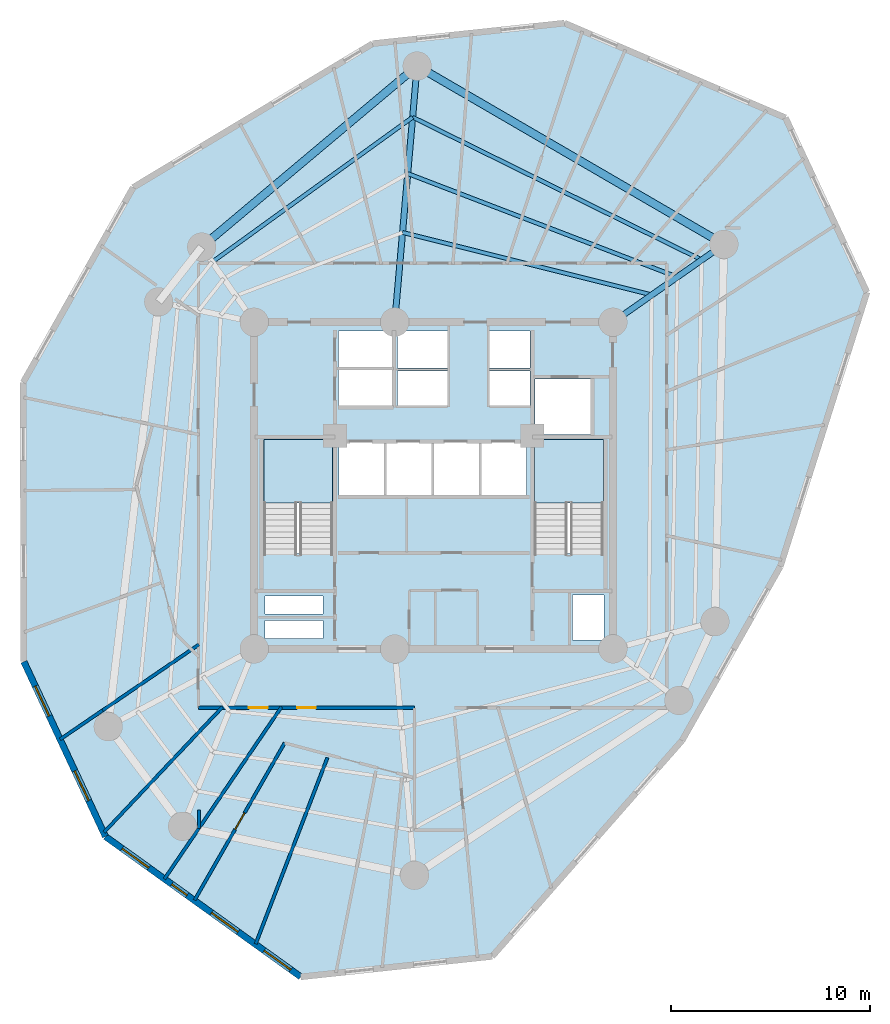
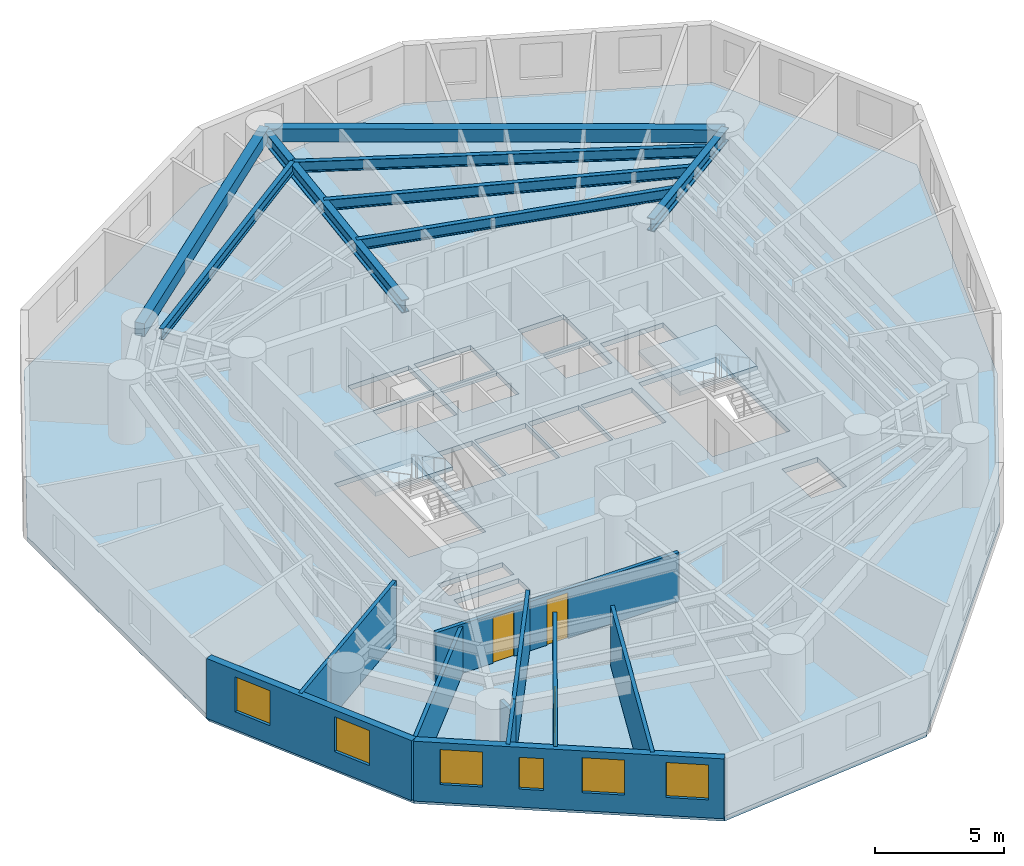
# One storey, part 2 of 8: 11 walls, 8 beams, 6 windows, 3 doors, 3 slabs, 9 openings, 2 elements without a shape of their own.
"""IFC4 building model written with IfcOpenShell, lengths in metres."""

from ifc_helpers import new_model, si_unit, direction, frame, frame_2d, origin, origin_with_axes, origin_2d, place, context, subcontext, project, spatial, polyline, rectangle, i_section, outline, extrude, source, transform, mapped, material, layer, layer_set, material_profile, profile_set, type_object, element, fill, aggregate, save


model = new_model("IFC4")

# Units and contexts
model_context = context("Model", 3, precision=1e-05, world=origin(), true_north=direction((0.0, 1.0)))
body_context = subcontext(model_context, "Body", "Model", "MODEL_VIEW")
ifc_project = project(units=[si_unit("LENGTHUNIT", "METRE"), si_unit("AREAUNIT", "SQUARE_METRE"), si_unit("VOLUMEUNIT", "CUBIC_METRE"), si_unit("PLANEANGLEUNIT", "RADIAN"), si_unit("MASSUNIT", "GRAM", prefix="KILO")], contexts=[model_context])

# Site, building, storey
site_placement = place(None, origin())
site = spatial("IfcSite", under=ifc_project, at=site_placement, CompositionType="ELEMENT")
building_placement = place(site_placement, origin())
building = spatial("IfcBuilding", under=site, at=building_placement, Name="Karkom Vertical University and Central Library", CompositionType="ELEMENT")
storey_placement = place(building_placement, frame((0.0, 0.0, 114.5)))
storey = spatial("IfcBuildingStorey", under=building, at=storey_placement, Name="L31", CompositionType="ELEMENT", Elevation=114.5)

# Beams
ifc_material_1 = material(Name="Precast concrete C45/55", Category="concrete")
ifc_material_profile_1 = material_profile(ifc_material_1, rectangle(XDim=0.39990234375, YDim=0.60009765625, at=origin_2d()), Name="SPB-400x600")
ifc_profile_set_1 = profile_set([ifc_material_profile_1], Name="Precast concrete C45/55")
beam_type_1 = type_object("IfcBeamType", Name="STR-BM-SP-1", PredefinedType="SPANDREL", material=ifc_profile_set_1)
shared_shape_1 = source(origin_with_axes(), body_context, "Body", "SweptSolid", [
    extrude(rectangle(XDim=0.39990234375, YDim=0.60009765625, at=origin_2d()), origin(), (0.0, 0.0, 1.0), 17.808837890625),
])
beam_1_placement = place(storey_placement, frame((43.070068359375, 38.60009765625, 2.52490234375), z_axis=(-0.864512866362, 0.502610688202, 0.0), x_axis=(-0.502610688202, -0.864512866362, 0.0)))
element("IfcBeam", 1, at=beam_1_placement, inside=storey, type_object=beam_type_1, Name="Level 31 Perimeter Spandrel Beam 02", PredefinedType="SPANDREL", context=body_context, shape_type="MappedRepresentation", body=[
    mapped(shared_shape_1, transform((0.0, 0.0, 0.0), scale=1.0)),
])
shared_shape_2 = source(origin_with_axes(), body_context, "Body", "SweptSolid", [
    extrude(rectangle(XDim=0.39990234375, YDim=0.60009765625, at=origin_2d()), origin(), (0.0, 0.0, 1.0), 14.120849609375),
])
beam_2_placement = place(storey_placement, frame((27.674072265625, 47.551025390625, 2.52490234375), z_axis=(-0.765672847866, -0.643230199883, 0.0), x_axis=(0.643230199883, -0.765672847866, 0.0)))
element("IfcBeam", 2, at=beam_2_placement, inside=storey, type_object=beam_type_1, Name="Level 31 Perimeter Spandrel Beam 03", PredefinedType="SPANDREL", context=body_context, shape_type="MappedRepresentation", body=[
    mapped(shared_shape_2, transform((0.0, 0.0, 0.0), scale=1.0)),
])
ifc_material_2 = material(Name="Steel S355", Category="steel")
ifc_material_profile_2 = material_profile(ifc_material_2, i_section(OverallWidth=0.199951171875, OverallDepth=0.5, WebThickness=0.01025390625, FlangeThickness=0.01611328125, FilletRadius=0.02099609375, at=origin_2d()), Name="IPE 500")
ifc_profile_set_2 = profile_set([ifc_material_profile_2], Name="Steel S355")
beam_type_2 = type_object("IfcBeamType", Name="STR-BM-SB-IPE500", PredefinedType="BEAM", material=ifc_profile_set_2)
shared_shape_3 = source(origin_with_axes(), body_context, "Body", "SweptSolid", [
    extrude(i_section(OverallWidth=0.199951171875, OverallDepth=0.5, WebThickness=0.01025390625, FlangeThickness=0.01611328125, FilletRadius=0.02099609375, at=origin_2d()), origin(), (0.0, 0.0, 1.0), 12.892578125),
])
beam_3_placement = place(storey_placement, frame((39.449462890625, 36.06494140625, 2.574951171875), z_axis=(-0.970023194321, 0.243012350468, 0.0), x_axis=(-0.243012350468, -0.970023194321, 0.0)))
element("IfcBeam", 3, at=beam_3_placement, inside=storey, type_object=beam_type_2, Name="Level 31 Secondary Composite Floor Beam 1.02", PredefinedType="BEAM", context=body_context, shape_type="MappedRepresentation", body=[
    mapped(shared_shape_3, transform((0.0, 0.0, 0.0), scale=1.0)),
])
shared_shape_4 = source(origin_with_axes(), body_context, "Body", "SweptSolid", [
    extrude(i_section(OverallWidth=0.199951171875, OverallDepth=0.5, WebThickness=0.01025390625, FlangeThickness=0.01611328125, FilletRadius=0.02099609375, at=origin_2d()), origin(), (0.0, 0.0, 1.0), 14.49072265625),
])
beam_4_placement = place(storey_placement, frame((40.730712890625, 36.9619140625, 2.574951171875), z_axis=(-0.93361673171, 0.35827335691, 0.0), x_axis=(-0.35827335691, -0.93361673171, 0.0)))
element("IfcBeam", 4, at=beam_4_placement, inside=storey, type_object=beam_type_2, Name="Level 31 Secondary Composite Floor Beam 2.02", PredefinedType="BEAM", context=body_context, shape_type="MappedRepresentation", body=[
    mapped(shared_shape_4, transform((0.0, 0.0, 0.0), scale=1.0)),
])
shared_shape_5 = source(origin_with_axes(), body_context, "Body", "SweptSolid", [
    extrude(i_section(OverallWidth=0.199951171875, OverallDepth=0.5, WebThickness=0.01025390625, FlangeThickness=0.01611328125, FilletRadius=0.02099609375, at=origin_2d()), origin(), (0.0, 0.0, 1.0), 16.177978515625),
])
beam_5_placement = place(storey_placement, frame((41.9560546875, 37.820068359375, 2.574951171875), z_axis=(-0.896709262653, 0.442620038263, 0.0), x_axis=(-0.442620038263, -0.896709262653, 0.0)))
element("IfcBeam", 5, at=beam_5_placement, inside=storey, type_object=beam_type_2, Name="Level 31 Secondary Composite Floor Beam 3.02", PredefinedType="BEAM", context=body_context, shape_type="MappedRepresentation", body=[
    mapped(shared_shape_5, transform((0.0, 0.0, 0.0), scale=1.0)),
])
shared_shape_6 = source(origin_with_axes(), body_context, "Body", "SweptSolid", [
    extrude(i_section(OverallWidth=0.199951171875, OverallDepth=0.5, WebThickness=0.01025390625, FlangeThickness=0.01611328125, FilletRadius=0.02099609375, at=origin_2d()), origin(), (0.0, 0.0, 1.0), 12.409423828125),
])
beam_6_placement = place(storey_placement, frame((27.44921875, 44.980712890625, 2.574951171875), z_axis=(-0.810636686292, -0.585549453793, 0.0), x_axis=(0.585549453793, -0.810636686292, 0.0)))
element("IfcBeam", 6, at=beam_6_placement, inside=storey, type_object=beam_type_2, Name="Level 31 Secondary Composite Floor Beam 3.03", PredefinedType="BEAM", context=body_context, shape_type="MappedRepresentation", body=[
    mapped(shared_shape_6, transform((0.0, 0.0, 0.0), scale=1.0)),
])
ifc_material_profile_3 = material_profile(ifc_material_2, i_section(OverallWidth=0.300048828125, OverallDepth=0.60009765625, WebThickness=0.015380859375, FlangeThickness=0.030029296875, FilletRadius=0.027099609375, at=origin_2d()), Name="HE 600 B")
ifc_profile_set_3 = profile_set([ifc_material_profile_3], Name="Steel S355")
beam_type_3 = type_object("IfcBeamType", Name="STR-BM-SB-HE600", PredefinedType="USERDEFINED", material=ifc_profile_set_3)
shared_shape_7 = source(origin_with_axes(), body_context, "Body", "SweptSolid", [
    extrude(i_section(OverallWidth=0.300048828125, OverallDepth=0.60009765625, WebThickness=0.015380859375, FlangeThickness=0.030029296875, FilletRadius=0.027099609375, at=origin_2d()), origin(), (0.0, 0.0, 1.0), 6.7998046875),
])
beam_7_placement = place(storey_placement, frame((37.5, 34.699951171875, 2.52490234375), z_axis=(0.819156008334, 0.573570775066, 0.0), x_axis=(-0.573570775066, 0.819156008334, 0.0)))
element("IfcBeam", 7, at=beam_7_placement, inside=storey, type_object=beam_type_3, Name="Level 31 Radial Frame Girder 02", ObjectType="GIRDER", PredefinedType="USERDEFINED", context=body_context, shape_type="MappedRepresentation", body=[
    mapped(shared_shape_7, transform((0.0, 0.0, 0.0), scale=1.0)),
])
shared_shape_8 = source(origin_with_axes(), body_context, "Body", "SweptSolid", [
    extrude(i_section(OverallWidth=0.300048828125, OverallDepth=0.60009765625, WebThickness=0.015380859375, FlangeThickness=0.030029296875, FilletRadius=0.027099609375, at=origin_2d()), origin(), (0.0, 0.0, 1.0), 12.900146484375),
])
beam_8_placement = place(storey_placement, frame((26.550048828125, 34.699951171875, 2.52490234375), z_axis=(0.087132673751, 0.996196716098, 0.0), x_axis=(-0.996196716098, 0.087132673751, 0.0)))
element("IfcBeam", 8, at=beam_8_placement, inside=storey, type_object=beam_type_3, Name="Level 31 Radial Frame Girder 03", ObjectType="GIRDER", PredefinedType="USERDEFINED", context=body_context, shape_type="MappedRepresentation", body=[
    mapped(shared_shape_8, transform((0.0, 0.0, 0.0), scale=1.0)),
])

# Stair, slab
ifc_material_3 = material(Name="Concrete C45/55", Category="concrete")
stair_type = type_object("IfcStairType", Name="INT-STR-ST-MAIN", PredefinedType="HALF_TURN_STAIR", material=ifc_material_3)
stair_1_placement = place(storey_placement, origin())
stair_1 = element("IfcStair", 9, at=stair_1_placement, inside=storey, type_object=stair_type, Name="Level 31 Tower Protected Exit Stair ST-1", PredefinedType="HALF_TURN_STAIR")
ifc_layer_1 = layer(ifc_material_3, 0.199951171875)
ifc_layer_set_1 = layer_set([ifc_layer_1], Name="Concrete C45/55")
slab_type_1 = type_object("IfcSlabType", Name="INT-SLB-LANDING", PredefinedType="LANDING", material=ifc_layer_set_1)
slab_1_placement = place(storey_placement, frame((0.0, 0.0, 1.324951171875)))
slab_1 = element("IfcSlab", 10, at=slab_1_placement, type_object=slab_type_1, Name="ST-1 landing 1", PredefinedType="LANDING", context=body_context, shape_type="SweptSolid", body=[
    extrude(outline(polyline([(23.43994140625, 25.6298828125), (23.43994140625, 28.820068359375), (19.97998046875, 28.820068359375), (19.97998046875, 25.6298828125), (23.43994140625, 25.6298828125)])), origin(), (0.0, 0.0, 1.0), 0.199951171875),
])
aggregate(stair_1, [slab_1])

stair_2_placement = place(storey_placement, origin())
stair_2 = element("IfcStair", 11, at=stair_2_placement, inside=storey, type_object=stair_type, Name="Level 31 Tower Protected Exit Stair ST-2", PredefinedType="HALF_TURN_STAIR")
slab_2_placement = place(storey_placement, frame((0.0, 0.0, 1.324951171875)))
slab_2 = element("IfcSlab", 12, at=slab_2_placement, type_object=slab_type_1, Name="ST-2 landing 1", PredefinedType="LANDING", context=body_context, shape_type="SweptSolid", body=[
    extrude(outline(polyline([(37.02001953125, 25.6298828125), (37.02001953125, 28.820068359375), (33.56005859375, 28.820068359375), (33.56005859375, 25.6298828125), (37.02001953125, 25.6298828125)])), origin(), (0.0, 0.0, 1.0), 0.199951171875),
])
aggregate(stair_2, [slab_2])

# Slab
ifc_layer_2 = layer(ifc_material_3, 0.22509765625)
ifc_layer_set_2 = layer_set([ifc_layer_2], Name="Concrete C45/55")
slab_type_2 = type_object("IfcSlabType", Name="STR-SLB-FLR-225", PredefinedType="FLOOR", material=ifc_layer_set_2)
slab_3_placement = place(storey_placement, frame((0.0, 0.0, -0.22509765625)))
element("IfcSlab", 13, at=slab_3_placement, inside=storey, type_object=slab_type_2, Name="Level 31 Tower Structural Floor Slab", PredefinedType="FLOOR", context=body_context, shape_type="SweptSolid", body=[
    extrude(outline(polyline([(13.42919921875, 41.454345703125), (7.90869140625, 31.673095703125), (7.93896484375, 17.660400390625), (12.034423828125, 8.886474609375), (21.829345703125, 1.85009765625), (31.4365234375, 2.87646484375), (40.9658203125, 13.706787109375), (45.894775390625, 22.43994140625), (50.241455078125, 36.195556640625), (46.15478515625, 44.95068359375), (35.068603515625, 49.69921875), (25.44091796875, 48.670654296875), (13.42919921875, 41.454345703125)]), holes=[polyline([(19.97998046875, 23.0849609375), (23.43994140625, 23.0849609375), (23.43994140625, 28.820068359375), (19.97998046875, 28.820068359375), (19.97998046875, 23.0849609375)]), polyline([(33.56005859375, 23.0849609375), (37.02001953125, 23.0849609375), (37.02001953125, 28.820068359375), (33.56005859375, 28.820068359375), (33.56005859375, 23.0849609375)]), polyline([(23.75, 26.0), (26.030029296875, 26.0), (26.030029296875, 28.64990234375), (23.75, 28.64990234375), (23.75, 26.0)]), polyline([(26.1298828125, 26.0), (28.409912109375, 26.0), (28.409912109375, 28.64990234375), (26.1298828125, 28.64990234375), (26.1298828125, 26.0)]), polyline([(28.510009765625, 26.0), (30.7900390625, 26.0), (30.7900390625, 28.64990234375), (28.510009765625, 28.64990234375), (28.510009765625, 26.0)]), polyline([(30.889892578125, 26.0), (33.169921875, 26.0), (33.169921875, 28.64990234375), (30.889892578125, 28.64990234375), (30.889892578125, 26.0)]), polyline([(26.679931640625, 30.5), (29.199951171875, 30.5), (29.199951171875, 32.25), (26.679931640625, 32.25), (26.679931640625, 30.5)]), polyline([(26.679931640625, 32.39990234375), (29.199951171875, 32.39990234375), (29.199951171875, 34.25), (26.679931640625, 34.25), (26.679931640625, 32.39990234375)]), polyline([(31.300048828125, 30.5), (33.35009765625, 30.5), (33.35009765625, 32.25), (31.300048828125, 32.25), (31.300048828125, 30.5)]), polyline([(31.300048828125, 32.39990234375), (33.35009765625, 32.39990234375), (33.35009765625, 34.25), (31.300048828125, 34.25), (31.300048828125, 32.39990234375)]), polyline([(23.719970703125, 30.47998046875), (26.429931640625, 30.47998046875), (26.429931640625, 32.320068359375), (23.719970703125, 32.320068359375), (23.719970703125, 30.47998046875)]), polyline([(23.719970703125, 32.419921875), (26.429931640625, 32.419921875), (26.429931640625, 34.260009765625), (23.719970703125, 34.260009765625), (23.719970703125, 32.419921875)]), polyline([(33.60009765625, 29.050048828125), (36.39990234375, 29.050048828125), (36.39990234375, 31.85009765625), (33.60009765625, 31.85009765625), (33.60009765625, 29.050048828125)]), polyline([(20.050048828125, 18.820068359375), (22.949951171875, 18.820068359375), (22.949951171875, 19.719970703125), (20.050048828125, 19.719970703125), (20.050048828125, 18.820068359375)]), polyline([(20.050048828125, 20.06005859375), (22.949951171875, 20.06005859375), (22.949951171875, 20.9599609375), (20.050048828125, 20.9599609375), (20.050048828125, 20.06005859375)]), polyline([(35.4599609375, 18.760009765625), (37.0400390625, 18.760009765625), (37.0400390625, 21.010009765625), (35.4599609375, 21.010009765625), (35.4599609375, 18.760009765625)])]), origin(), (0.0, 0.0, 1.0), 0.22509765625),
])

# Wall, openings, windows
ifc_material_4 = material(Name="Brick-faced precast concrete C45/55", Category="masonry")
ifc_layer_3 = layer(ifc_material_4, 0.320068359375)
ifc_layer_set_3 = layer_set([ifc_layer_3], Name="Brick-faced precast concrete C45/55")
wall_type_1 = type_object("IfcWallType", Name="ENV-WL-BRK-320", PredefinedType="SOLIDWALL", material=ifc_layer_set_3)
wall_1_placement = place(storey_placement, frame((7.93896484375, 17.660400390625, 0.0), z_axis=(0.0, 0.0, 1.0), x_axis=(0.422966903398, -0.906145131107, 0.0)))
wall_1 = element("IfcWall", 14, at=wall_1_placement, inside=storey, type_object=wall_type_1, Name="Level 31 Brick-Faced Precast Facade Wall 03", PredefinedType="SOLIDWALL", context=body_context, shape_type="SweptSolid", body=[
    extrude(rectangle(XDim=9.6826171875, YDim=0.320068359375, at=frame_2d((4.84130859375, 0.0))), origin(), (0.0, 0.0, 1.0), 2.824951171875),
])
opening_1_placement = place(wall_1_placement, frame((1.3515625, 0.0, 0.85009765625)))
opening_1 = element("IfcOpeningElement", 15, at=opening_1_placement, cuts=wall_1, Name="Opening WN-06", PredefinedType="OPENING", context=body_context, shape_type="SweptSolid", body=[
    extrude(rectangle(XDim=1.64990234375, YDim=1.64990234375, at=frame_2d((0.824951171875, 0.824951171875))), frame((0.0, 0.169921875, 0.0), z_axis=(0.0, -1.0, 0.0), x_axis=(1.0, 0.0, 0.0)), (0.0, 0.0, 1.0), 0.340087890625),
])
opening_2_placement = place(wall_1_placement, frame((6.043212890625, 0.0, 0.85009765625)))
opening_2 = element("IfcOpeningElement", 16, at=opening_2_placement, cuts=wall_1, Name="Opening WN-06", PredefinedType="OPENING", context=body_context, shape_type="SweptSolid", body=[
    extrude(rectangle(XDim=1.64990234375, YDim=1.64990234375, at=frame_2d((0.824951171875, 0.824951171875))), frame((0.0, 0.169921875, 0.0), z_axis=(0.0, -1.0, 0.0), x_axis=(1.0, 0.0, 0.0)), (0.0, 0.0, 1.0), 0.340087890625),
])
ifc_material_5 = material(Name="Aluminium thermal-break frame with solar-control IGU", Category="aluminium")
window_type_1 = type_object("IfcWindowType", Name="ENV-WIN-WN-06", PartitioningType="SINGLE_PANEL", PredefinedType="WINDOW", material=ifc_material_5)
shared_shape_9 = source(origin_with_axes(), body_context, "Body", "SweptSolid", [
    extrude(rectangle(XDim=1.64990234375, YDim=1.64990234375, at=frame_2d((0.824951171875, 0.824951171875))), frame((0.0, 0.030029296875, 0.0), z_axis=(0.0, -1.0, 0.0), x_axis=(1.0, 0.0, 0.0)), (0.0, 0.0, 1.0), 0.06005859375),
])
window_1_placement = place(opening_1_placement, origin())
window_1 = element("IfcWindow", 17, at=window_1_placement, inside=storey, type_object=window_type_1, Name="Level 31 Punched Window 3.1", OverallHeight=1.64990234375, OverallWidth=1.64990234375, PartitioningType="SINGLE_PANEL", PredefinedType="WINDOW", context=body_context, shape_type="MappedRepresentation", body=[
    mapped(shared_shape_9, transform((0.0, 0.0, 0.0), scale=1.0)),
])
fill(opening_1, window_1)
window_2_placement = place(opening_2_placement, origin())
window_2 = element("IfcWindow", 18, at=window_2_placement, inside=storey, type_object=window_type_1, Name="Level 31 Punched Window 3.2", OverallHeight=1.64990234375, OverallWidth=1.64990234375, PartitioningType="SINGLE_PANEL", PredefinedType="WINDOW", context=body_context, shape_type="MappedRepresentation", body=[
    mapped(shared_shape_9, transform((0.0, 0.0, 0.0), scale=1.0)),
])
fill(opening_2, window_2)

wall_2_placement = place(storey_placement, frame((12.034423828125, 8.886474609375, 0.0), z_axis=(0.0, 0.0, 1.0), x_axis=(0.812161650354, -0.583432475694, 0.0)))
wall_2 = element("IfcWall", 19, at=wall_2_placement, inside=storey, type_object=wall_type_1, Name="Level 31 Brick-Faced Precast Facade Wall 04", PredefinedType="SOLIDWALL", context=body_context, shape_type="SweptSolid", body=[
    extrude(rectangle(XDim=12.060302734375, YDim=0.320068359375, at=frame_2d((6.0302734375, 0.0))), origin(), (0.0, 0.0, 1.0), 2.824951171875),
])
opening_3_placement = place(wall_2_placement, frame((1.027099609375, 0.0, 0.85009765625)))
opening_3 = element("IfcOpeningElement", 20, at=opening_3_placement, cuts=wall_2, Name="Opening WN-06", PredefinedType="OPENING", context=body_context, shape_type="SweptSolid", body=[
    extrude(rectangle(XDim=1.64990234375, YDim=1.64990234375, at=frame_2d((0.824951171875, 0.824951171875))), frame((0.0, 0.169921875, 0.0), z_axis=(0.0, -1.0, 0.0), x_axis=(1.0, 0.0, 0.0)), (0.0, 0.0, 1.0), 0.340087890625),
])
opening_4_placement = place(wall_2_placement, frame((4.091796875, 0.0, 0.85009765625)))
opening_4 = element("IfcOpeningElement", 21, at=opening_4_placement, cuts=wall_2, Name="Opening WN-12", PredefinedType="OPENING", context=body_context, shape_type="SweptSolid", body=[
    extrude(rectangle(XDim=0.949951171875, YDim=1.5, at=frame_2d((0.47509765625, 0.75))), frame((0.0, 0.169921875, 0.0), z_axis=(0.0, -1.0, 0.0), x_axis=(1.0, 0.0, 0.0)), (0.0, 0.0, 1.0), 0.340087890625),
])
opening_5_placement = place(wall_2_placement, frame((6.54736328125, 0.0, 0.85009765625)))
opening_5 = element("IfcOpeningElement", 22, at=opening_5_placement, cuts=wall_2, Name="Opening WN-06", PredefinedType="OPENING", context=body_context, shape_type="SweptSolid", body=[
    extrude(rectangle(XDim=1.64990234375, YDim=1.64990234375, at=frame_2d((0.824951171875, 0.824951171875))), frame((0.0, 0.169921875, 0.0), z_axis=(0.0, -1.0, 0.0), x_axis=(1.0, 0.0, 0.0)), (0.0, 0.0, 1.0), 0.340087890625),
])
opening_6_placement = place(wall_2_placement, frame((9.802978515625, 0.0, 0.85009765625)))
opening_6 = element("IfcOpeningElement", 23, at=opening_6_placement, cuts=wall_2, Name="Opening WN-06", PredefinedType="OPENING", context=body_context, shape_type="SweptSolid", body=[
    extrude(rectangle(XDim=1.64990234375, YDim=1.64990234375, at=frame_2d((0.824951171875, 0.824951171875))), frame((0.0, 0.169921875, 0.0), z_axis=(0.0, -1.0, 0.0), x_axis=(1.0, 0.0, 0.0)), (0.0, 0.0, 1.0), 0.340087890625),
])
window_3_placement = place(opening_3_placement, origin())
window_3 = element("IfcWindow", 24, at=window_3_placement, inside=storey, type_object=window_type_1, Name="Level 31 Punched Window 4.1", OverallHeight=1.64990234375, OverallWidth=1.64990234375, PartitioningType="SINGLE_PANEL", PredefinedType="WINDOW", context=body_context, shape_type="MappedRepresentation", body=[
    mapped(shared_shape_9, transform((0.0, 0.0, 0.0), scale=1.0)),
])
fill(opening_3, window_3)
window_4_placement = place(opening_5_placement, origin())
window_4 = element("IfcWindow", 25, at=window_4_placement, inside=storey, type_object=window_type_1, Name="Level 31 Punched Window 4.3", OverallHeight=1.64990234375, OverallWidth=1.64990234375, PartitioningType="SINGLE_PANEL", PredefinedType="WINDOW", context=body_context, shape_type="MappedRepresentation", body=[
    mapped(shared_shape_9, transform((0.0, 0.0, 0.0), scale=1.0)),
])
fill(opening_5, window_4)
window_5_placement = place(opening_6_placement, origin())
window_5 = element("IfcWindow", 26, at=window_5_placement, inside=storey, type_object=window_type_1, Name="Level 31 Punched Window 4.4", OverallHeight=1.64990234375, OverallWidth=1.64990234375, PartitioningType="SINGLE_PANEL", PredefinedType="WINDOW", context=body_context, shape_type="MappedRepresentation", body=[
    mapped(shared_shape_9, transform((0.0, 0.0, 0.0), scale=1.0)),
])
fill(opening_6, window_5)
window_type_2 = type_object("IfcWindowType", Name="ENV-WIN-WN-12", PartitioningType="SINGLE_PANEL", PredefinedType="WINDOW", material=ifc_material_5)
shared_shape_10 = source(origin_with_axes(), body_context, "Body", "SweptSolid", [
    extrude(rectangle(XDim=0.949951171875, YDim=1.5, at=frame_2d((0.47509765625, 0.75))), frame((0.0, 0.030029296875, 0.0), z_axis=(0.0, -1.0, 0.0), x_axis=(1.0, 0.0, 0.0)), (0.0, 0.0, 1.0), 0.06005859375),
])
window_6_placement = place(opening_4_placement, origin())
window_6 = element("IfcWindow", 27, at=window_6_placement, inside=storey, type_object=window_type_2, Name="Level 31 Punched Window 4.2", OverallHeight=1.5, OverallWidth=0.949951171875, PartitioningType="SINGLE_PANEL", PredefinedType="WINDOW", context=body_context, shape_type="MappedRepresentation", body=[
    mapped(shared_shape_10, transform((0.0, 0.0, 0.0), scale=1.0)),
])
fill(opening_4, window_6)

# Wall, openings, doors
ifc_material_6 = material(Name="Insulated metal-stud drywall 160mm", Category="gypsum")
ifc_layer_4 = layer(ifc_material_6, 0.159912109375)
ifc_layer_set_4 = layer_set([ifc_layer_4], Name="Insulated metal-stud drywall 160mm")
wall_type_2 = type_object("IfcWallType", Name="INT-WL-COR-160", PredefinedType="PARTITIONING", material=ifc_layer_set_4)
wall_3_placement = place(storey_placement, frame((27.550048828125, 15.35009765625, 0.0), z_axis=(0.0, 0.0, 1.0), x_axis=(-1.0, 0.0, 0.0)))
wall_3 = element("IfcWall", 28, at=wall_3_placement, inside=storey, type_object=wall_type_2, Name="Level 31 Interior Partition Wall L31-CORW-CW-001", PredefinedType="PARTITIONING", context=body_context, shape_type="SweptSolid", body=[
    extrude(rectangle(XDim=10.85009765625, YDim=0.159912109375, at=frame_2d((5.425048828125, 0.0))), origin(), (0.0, 0.0, 1.0), 2.324951171875),
])
opening_7_placement = place(wall_3_placement, frame((7.367431640625, 0.0, 0.0)))
opening_7 = element("IfcOpeningElement", 29, at=opening_7_placement, cuts=wall_3, Name="Opening D-RM1", PredefinedType="OPENING", context=body_context, shape_type="SweptSolid", body=[
    extrude(rectangle(XDim=0.949951171875, YDim=2.14990234375, at=frame_2d((0.47509765625, 1.074951171875))), frame((0.0, 0.08984375, 0.0), z_axis=(0.0, -1.0, 0.0), x_axis=(1.0, 0.0, 0.0)), (0.0, 0.0, 1.0), 0.179931640625),
])
opening_8_placement = place(wall_3_placement, frame((4.949951171875, 0.0, 0.0)))
opening_8 = element("IfcOpeningElement", 30, at=opening_8_placement, cuts=wall_3, Name="Opening D-RM1", PredefinedType="OPENING", context=body_context, shape_type="SweptSolid", body=[
    extrude(rectangle(XDim=0.949951171875, YDim=2.14990234375, at=frame_2d((0.47509765625, 1.074951171875))), frame((0.0, 0.08984375, 0.0), z_axis=(0.0, -1.0, 0.0), x_axis=(1.0, 0.0, 0.0)), (0.0, 0.0, 1.0), 0.179931640625),
])
ifc_material_7 = material(Name="Solid-core oak veneer door", Category="wood")
door_type = type_object("IfcDoorType", Name="INT-DR-RM1", OperationType="NOTDEFINED", PredefinedType="DOOR", material=ifc_material_7)
shared_shape_11 = source(origin_with_axes(), body_context, "Body", "SweptSolid", [
    extrude(rectangle(XDim=0.949951171875, YDim=2.14990234375, at=frame_2d((0.47509765625, 1.074951171875))), frame((0.0, 0.02490234375, 0.0), z_axis=(0.0, -1.0, 0.0), x_axis=(1.0, 0.0, 0.0)), (0.0, 0.0, 1.0), 0.050048828125),
])
door_1_placement = place(opening_7_placement, origin())
door_1 = element("IfcDoor", 31, at=door_1_placement, inside=storey, type_object=door_type, Name="Level 31 Room Entry Door 040", OperationType="SINGLE_SWING_LEFT", OverallHeight=2.14990234375, OverallWidth=0.949951171875, PredefinedType="DOOR", context=body_context, shape_type="MappedRepresentation", body=[
    mapped(shared_shape_11, transform((0.0, 0.0, 0.0), scale=1.0)),
])
fill(opening_7, door_1)
door_2_placement = place(opening_8_placement, origin())
door_2 = element("IfcDoor", 32, at=door_2_placement, inside=storey, type_object=door_type, Name="Level 31 Room Entry Door 050", OperationType="SINGLE_SWING_RIGHT", OverallHeight=2.14990234375, OverallWidth=0.949951171875, PredefinedType="DOOR", context=body_context, shape_type="MappedRepresentation", body=[
    mapped(shared_shape_11, transform((0.0, 0.0, 0.0), scale=1.0)),
])
fill(opening_8, door_2)

# Wall
wall_4_placement = place(storey_placement, frame((23.173583984375, 12.844482421875, 0.0), z_axis=(0.0, 0.0, 1.0), x_axis=(-0.359557542395, -0.933122914576, 0.0)))
element("IfcWall", 33, at=wall_4_placement, inside=storey, type_object=wall_type_2, Name="Level 31 Interior Partition Wall L31-PW-016", PredefinedType="PARTITIONING", context=body_context, shape_type="SweptSolid", body=[
    extrude(rectangle(XDim=10.010498046875, YDim=0.159912109375, at=frame_2d((5.00537109375, 0.0))), origin(), (0.0, 0.0, 1.0), 2.824951171875),
])

# Wall, opening, door
wall_5_placement = place(storey_placement, frame((21.0283203125, 13.5849609375, 0.0), z_axis=(0.0, 0.0, 1.0), x_axis=(-0.497267083888, -0.867597514566, 0.0)))
wall_5 = element("IfcWall", 34, at=wall_5_placement, inside=storey, type_object=wall_type_2, Name="Level 31 Interior Partition Wall L31-PW-013", PredefinedType="PARTITIONING", context=body_context, shape_type="SweptSolid", body=[
    extrude(rectangle(XDim=9.085693359375, YDim=0.159912109375, at=frame_2d((4.54296875, 0.0))), origin(), (0.0, 0.0, 1.0), 2.824951171875),
])
opening_9_placement = place(wall_5_placement, frame((4.05029296875, 0.0, 0.0)))
opening_9 = element("IfcOpeningElement", 35, at=opening_9_placement, cuts=wall_5, Name="Opening D-RM1", PredefinedType="OPENING", context=body_context, shape_type="SweptSolid", body=[
    extrude(rectangle(XDim=0.949951171875, YDim=2.14990234375, at=frame_2d((0.47509765625, 1.074951171875))), frame((0.0, 0.08984375, 0.0), z_axis=(0.0, -1.0, 0.0), x_axis=(1.0, 0.0, 0.0)), (0.0, 0.0, 1.0), 0.179931640625),
])
door_3_placement = place(opening_9_placement, origin())
door_3 = element("IfcDoor", 36, at=door_3_placement, inside=storey, type_object=door_type, Name="Level 31 Room Entry Door 060", OperationType="SINGLE_SWING_LEFT", OverallHeight=2.14990234375, OverallWidth=0.949951171875, PredefinedType="DOOR", context=body_context, shape_type="MappedRepresentation", body=[
    mapped(shared_shape_11, transform((0.0, 0.0, 0.0), scale=1.0)),
])
fill(opening_9, door_3)

# Walls
wall_6_placement = place(storey_placement, frame((17.9033203125, 15.3828125, 0.0), z_axis=(0.0, 0.0, 1.0), x_axis=(-0.687126913395, -0.72653740777, 0.0)))
element("IfcWall", 37, at=wall_6_placement, inside=storey, type_object=wall_type_2, Name="Level 31 Interior Partition Wall L31-PW-009", PredefinedType="PARTITIONING", context=body_context, shape_type="SweptSolid", body=[
    extrude(rectangle(XDim=8.641845703125, YDim=0.159912109375, at=frame_2d((4.32080078125, 0.0))), origin(), (0.0, 0.0, 1.0), 2.22509765625),
])
wall_7_placement = place(storey_placement, frame((20.86572265625, 15.38720703125, 0.0), z_axis=(0.0, 0.0, 1.0), x_axis=(-0.562542198386, -0.826768574049, 0.0)))
element("IfcWall", 38, at=wall_7_placement, inside=storey, type_object=wall_type_2, Name="Level 31 Interior Partition Wall L31-PW-012", PredefinedType="PARTITIONING", context=body_context, shape_type="SweptSolid", body=[
    extrude(rectangle(XDim=7.3623046875, YDim=0.159912109375, at=frame_2d((3.68115234375, 0.0))), origin(), (0.0, 0.0, 1.0), 2.824951171875),
])
wall_8_placement = place(storey_placement, frame((16.724853515625, 18.52294921875, 0.0), z_axis=(0.0, 0.0, 1.0), x_axis=(-0.825538633176, -0.564345607881, 0.0)))
element("IfcWall", 39, at=wall_8_placement, inside=storey, type_object=wall_type_2, Name="Level 31 Interior Partition Wall L31-PW-008", PredefinedType="PARTITIONING", context=body_context, shape_type="SweptSolid", body=[
    extrude(rectangle(XDim=5.84765625, YDim=0.159912109375, at=frame_2d((2.923828125, 0.0))), origin(), (0.0, 0.0, 1.0), 2.824951171875),
])
wall_9_placement = place(storey_placement, frame((16.72119140625, 9.296142578125, 0.0), z_axis=(0.0, 0.0, 1.0), x_axis=(-0.562551542542, -0.826762216108, 0.0)))
element("IfcWall", 40, at=wall_9_placement, inside=storey, type_object=wall_type_2, Name="Level 31 Interior Partition Wall L31-PW-011", PredefinedType="PARTITIONING", context=body_context, shape_type="SweptSolid", body=[
    extrude(rectangle(XDim=3.06884765625, YDim=0.159912109375, at=frame_2d((1.534423828125, 0.0))), origin(), (0.0, 0.0, 1.0), 2.824951171875),
])
wall_10_placement = place(storey_placement, frame((11.893310546875, 15.22021484375, 0.0), z_axis=(0.0, 0.0, 1.0), x_axis=(-0.825532260867, -0.564354929338, 0.0)))
element("IfcWall", 41, at=wall_10_placement, inside=storey, type_object=wall_type_2, Name="Level 31 Interior Partition Wall L31-PW-007", PredefinedType="PARTITIONING", context=body_context, shape_type="SweptSolid", body=[
    extrude(rectangle(XDim=2.580810546875, YDim=0.159912109375, at=frame_2d((1.29052734375, 0.0))), origin(), (0.0, 0.0, 1.0), 2.824951171875),
])
wall_11_placement = place(storey_placement, frame((16.72412109375, 9.30029296875, 0.0), z_axis=(0.0, 0.0, 1.0), x_axis=(0.0, 1.0, 0.0)))
element("IfcWall", 42, at=wall_11_placement, inside=storey, type_object=wall_type_2, Name="Level 31 Interior Partition Wall L31-PW-010", PredefinedType="PARTITIONING", context=body_context, shape_type="SweptSolid", body=[
    extrude(rectangle(XDim=0.918701171875, YDim=0.159912109375, at=frame_2d((0.45947265625, 0.0))), origin(), (0.0, 0.0, 1.0), 2.22509765625),
])

save(model, "model.ifc")
